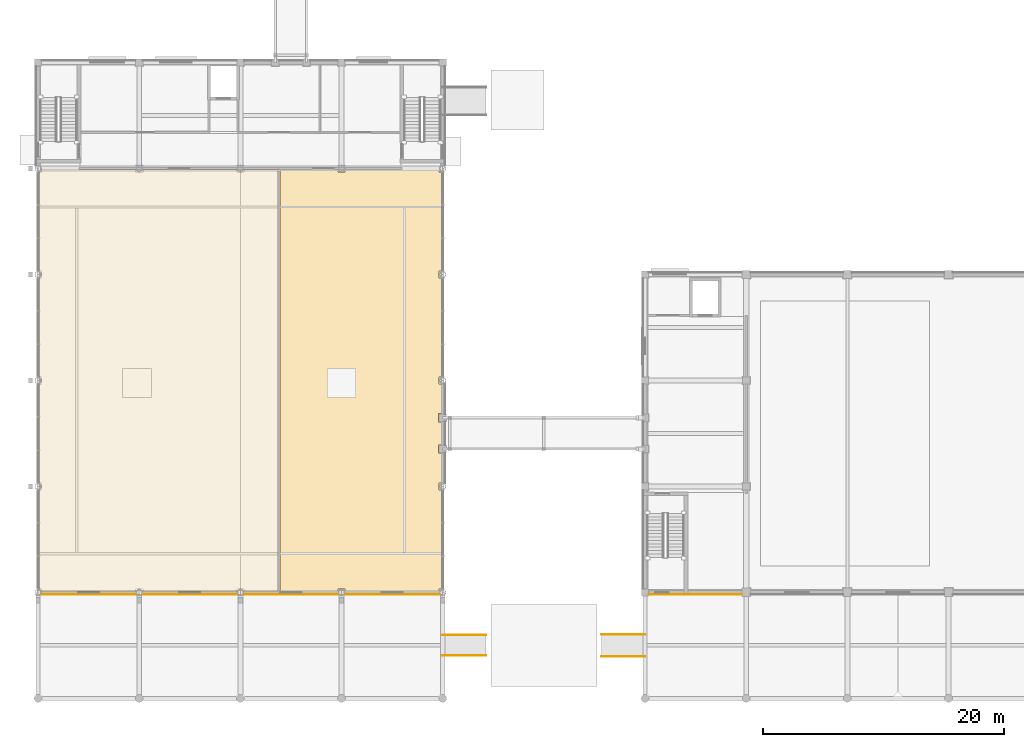
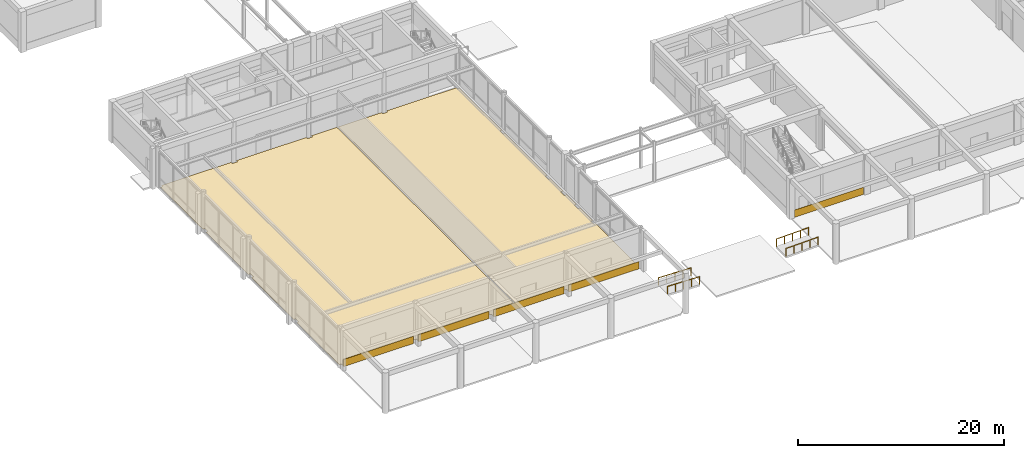
# One storey, part 43 of 58: 7 coverings, 4 railings.
"""IFC4 building model written with IfcOpenShell, lengths in metres."""

from ifc_helpers import new_model, si_unit, direction, frame, origin, origin_2d, place, context, subcontext, project, spatial, polyline, circle, outline, extrude, material, layer, layer_set, type_object, element, save


model = new_model("IFC4")

# Units and contexts
model_context = context("Model", 3, precision=1e-05, world=origin(), true_north=direction((0.0, 1.0)))
body_context = subcontext(model_context, "Body", "Model", "MODEL_VIEW")
ifc_project = project(units=[si_unit("LENGTHUNIT", "METRE"), si_unit("AREAUNIT", "SQUARE_METRE"), si_unit("VOLUMEUNIT", "CUBIC_METRE"), si_unit("PLANEANGLEUNIT", "RADIAN"), si_unit("MASSUNIT", "GRAM", prefix="KILO")], contexts=[model_context])

# Site, building, storey
site_placement = place(None, origin())
site = spatial("IfcSite", under=ifc_project, at=site_placement, CompositionType="ELEMENT")
building_placement = place(site_placement, origin())
building = spatial("IfcBuilding", under=site, at=building_placement, Name="Kemercrest Conservatory and Botanical Centre", CompositionType="ELEMENT")
storey_placement = place(building_placement, origin())
storey = spatial("IfcBuildingStorey", under=building, at=storey_placement, Name="L00", CompositionType="ELEMENT", Elevation=0.0)

# Coverings
ifc_material_1 = material(Name="Honed limestone almasik ashlar rainscreen", Category="masonry")
ifc_layer_1 = layer(ifc_material_1, 0.0400390625)
ifc_layer_set_1 = layer_set([ifc_layer_1], Name="Honed limestone almasik ashlar rainscreen")
covering_type_1 = type_object("IfcCoveringType", Name="CV-CLD040", PredefinedType="CLADDING", material=ifc_layer_set_1)
covering_1_placement = place(storey_placement, origin())
element("IfcCovering", 1, at=covering_1_placement, inside=storey, type_object=covering_type_1, Name="Exterior stone spandrel cladding (WAL:L00:EXT-001)", PredefinedType="CLADDING", context=body_context, shape_type="SweptSolid", body=[
    extrude(outline(polyline([(8.263916015625, 16.64990234375), (8.263916015625, 16.610107421875), (16.135986328125, 16.610107421875), (16.135986328125, 16.64990234375), (8.263916015625, 16.64990234375)])), origin(), (0.0, 0.0, 1.0), 0.85009765625),
])
covering_2_placement = place(storey_placement, origin())
element("IfcCovering", 2, at=covering_2_placement, inside=storey, type_object=covering_type_1, Name="Exterior stone spandrel cladding (WAL:L00:EXT-002)", PredefinedType="CLADDING", context=body_context, shape_type="SweptSolid", body=[
    extrude(outline(polyline([(16.6640625, 16.64990234375), (16.6640625, 16.610107421875), (24.535888671875, 16.610107421875), (24.535888671875, 16.64990234375), (16.6640625, 16.64990234375)])), origin(), (0.0, 0.0, 1.0), 0.85009765625),
])
covering_3_placement = place(storey_placement, origin())
element("IfcCovering", 3, at=covering_3_placement, inside=storey, type_object=covering_type_1, Name="Exterior stone spandrel cladding (WAL:L00:EXT-003)", PredefinedType="CLADDING", context=body_context, shape_type="SweptSolid", body=[
    extrude(outline(polyline([(25.06396484375, 16.64990234375), (25.06396484375, 16.610107421875), (32.93603515625, 16.610107421875), (32.93603515625, 16.64990234375), (25.06396484375, 16.64990234375)])), origin(), (0.0, 0.0, 1.0), 0.85009765625),
])
covering_4_placement = place(storey_placement, origin())
element("IfcCovering", 4, at=covering_4_placement, inside=storey, type_object=covering_type_1, Name="Exterior stone spandrel cladding (WAL:L00:EXT-004)", PredefinedType="CLADDING", context=body_context, shape_type="SweptSolid", body=[
    extrude(outline(polyline([(33.464111328125, 16.64990234375), (33.464111328125, 16.610107421875), (41.3359375, 16.610107421875), (41.3359375, 16.64990234375), (33.464111328125, 16.64990234375)])), origin(), (0.0, 0.0, 1.0), 0.85009765625),
])
covering_5_placement = place(storey_placement, origin())
element("IfcCovering", 5, at=covering_5_placement, inside=storey, type_object=covering_type_1, Name="Exterior stone spandrel cladding (WAL:L00:EXT-021)", PredefinedType="CLADDING", context=body_context, shape_type="SweptSolid", body=[
    extrude(outline(polyline([(58.7099609375, 16.64990234375), (58.7099609375, 16.610107421875), (66.43994140625, 16.610107421875), (66.43994140625, 16.64990234375), (58.7099609375, 16.64990234375)])), origin(), (0.0, 0.0, 1.0), 0.85009765625),
])
ifc_material_2 = material(Name="Polished limestone terrazzo and seamless laboratory epoxy flooring", Category="masonry")
ifc_layer_2 = layer(ifc_material_2, 0.02001953125)
ifc_layer_set_2 = layer_set([ifc_layer_2], Name="Polished limestone terrazzo and seamless laboratory epoxy flooring")
covering_type_2 = type_object("IfcCoveringType", Name="CV-FLR020", PredefinedType="FLOORING", material=ifc_layer_set_2)
covering_6_placement = place(storey_placement, origin())
element("IfcCovering", 6, at=covering_6_placement, inside=storey, type_object=covering_type_2, Name="Conservatory terrazzo floor finish", PredefinedType="FLOORING", context=body_context, shape_type="SweptSolid", body=[
    extrude(outline(polyline([(25.093994140625, 16.8798828125), (27.919921875, 16.8798828125), (27.919921875, 51.919921875), (25.093994140625, 51.919921875), (25.093994140625, 51.7060546875), (24.506103515625, 51.7060546875), (24.506103515625, 51.919921875), (16.694091796875, 51.919921875), (16.694091796875, 51.7060546875), (16.10595703125, 51.7060546875), (16.10595703125, 51.919921875), (8.2939453125, 51.919921875), (8.2939453125, 51.7060546875), (8.080078125, 51.7060546875), (8.080078125, 43.493896484375), (8.2939453125, 43.493896484375), (8.2939453125, 42.906005859375), (8.080078125, 42.906005859375), (8.080078125, 34.694091796875), (8.2939453125, 34.694091796875), (8.2939453125, 34.10595703125), (8.080078125, 34.10595703125), (8.080078125, 25.89404296875), (8.2939453125, 25.89404296875), (8.2939453125, 25.305908203125), (8.080078125, 25.305908203125), (8.080078125, 17.093994140625), (8.2939453125, 17.093994140625), (8.2939453125, 16.8798828125), (16.10595703125, 16.8798828125), (16.10595703125, 17.093994140625), (16.694091796875, 17.093994140625), (16.694091796875, 16.8798828125), (24.506103515625, 16.8798828125), (24.506103515625, 17.093994140625), (25.093994140625, 17.093994140625), (25.093994140625, 16.8798828125)])), origin(), (0.0, 0.0, 1.0), 0.02001953125),
])
covering_7_placement = place(storey_placement, origin())
element("IfcCovering", 7, at=covering_7_placement, inside=storey, type_object=covering_type_2, Name="Mediterranean and Arid Conservatory Biome terrazzo floor finish", PredefinedType="FLOORING", context=body_context, shape_type="SweptSolid", body=[
    extrude(outline(polyline([(33.493896484375, 16.8798828125), (41.305908203125, 16.8798828125), (41.305908203125, 17.093994140625), (41.52001953125, 17.093994140625), (41.52001953125, 25.305908203125), (41.305908203125, 25.305908203125), (41.305908203125, 25.89404296875), (41.52001953125, 25.89404296875), (41.52001953125, 28.360107421875), (41.260009765625, 28.360107421875), (41.260009765625, 29.0400390625), (41.52001953125, 29.0400390625), (41.52001953125, 30.9599609375), (41.260009765625, 30.9599609375), (41.260009765625, 31.639892578125), (41.52001953125, 31.639892578125), (41.52001953125, 34.10595703125), (41.305908203125, 34.10595703125), (41.305908203125, 34.694091796875), (41.52001953125, 34.694091796875), (41.52001953125, 42.906005859375), (41.305908203125, 42.906005859375), (41.305908203125, 43.493896484375), (41.52001953125, 43.493896484375), (41.52001953125, 51.7060546875), (41.305908203125, 51.7060546875), (41.305908203125, 51.919921875), (33.493896484375, 51.919921875), (33.493896484375, 51.7060546875), (32.906005859375, 51.7060546875), (32.906005859375, 51.919921875), (28.080078125, 51.919921875), (28.080078125, 16.8798828125), (32.906005859375, 16.8798828125), (32.906005859375, 17.093994140625), (33.493896484375, 17.093994140625), (33.493896484375, 16.8798828125)])), origin(), (0.0, 0.0, 1.0), 0.02001953125),
])

# Railings
ifc_material_3 = material(Name="Architectural bronze-anodized steel balustrade", Category="steel")
railing_type = type_object("IfcRailingType", Name="HR-RMP092", PredefinedType="HANDRAIL", material=ifc_material_3)
for number, where, name in (
    (8, (45.199951171875, 11.550048828125, -0.10009765625), "Accessible ramp AR-01 handrail 1"),
    (9, (45.199951171875, 13.25, -0.10009765625), "Accessible ramp AR-01 handrail 2"),
):
    element("IfcRailing", number, at=place(storey_placement, frame(where)), inside=storey, type_object=railing_type, Name=name, PredefinedType="HANDRAIL", context=body_context, shape_type="SweptSolid", body=[
        extrude(circle(Radius=0.02392578125, at=origin_2d()), frame((0.0, 0.0, 0.89599609375), z_axis=(-0.999613636213, 0.0, 0.027795292699), x_axis=(0.0, -1.0, 0.0)), (0.0, 0.0, 1.0), 3.601318359375),
        extrude(circle(Radius=0.02099609375, at=origin_2d()), origin(), (0.0, 0.0, 1.0), 0.871826171875),
        extrude(circle(Radius=0.02099609375, at=origin_2d()), frame((-0.89990234375, 0.0, 0.02490234375)), (0.0, 0.0, 1.0), 0.871826171875),
        extrude(circle(Radius=0.02099609375, at=origin_2d()), frame((-1.7998046875, 0.0, 0.050048828125)), (0.0, 0.0, 1.0), 0.871826171875),
        extrude(circle(Radius=0.02099609375, at=origin_2d()), frame((-2.699951171875, 0.0, 0.0751953125)), (0.0, 0.0, 1.0), 0.871826171875),
        extrude(circle(Radius=0.02099609375, at=origin_2d()), frame((-3.599853515625, 0.0, 0.10009765625)), (0.0, 0.0, 1.0), 0.871826171875),
    ])
for number, where, name in (
    (10, (54.800048828125, 11.47509765625, -0.10009765625), "Accessible ramp AR-02 handrail 1"),
    (11, (54.800048828125, 13.324951171875, -0.10009765625), "Accessible ramp AR-02 handrail 2"),
):
    element("IfcRailing", number, at=place(storey_placement, frame(where)), inside=storey, type_object=railing_type, Name=name, PredefinedType="HANDRAIL", context=body_context, shape_type="SweptSolid", body=[
        extrude(circle(Radius=0.02392578125, at=origin_2d()), frame((0.0, 0.0, 0.89599609375), z_axis=(0.999613636213, 0.0, 0.027795292699), x_axis=(0.0, 1.0, 0.0)), (0.0, 0.0, 1.0), 3.601318359375),
        extrude(circle(Radius=0.02099609375, at=origin_2d()), origin(), (0.0, 0.0, 1.0), 0.871826171875),
        extrude(circle(Radius=0.02099609375, at=origin_2d()), frame((0.89990234375, 0.0, 0.02490234375)), (0.0, 0.0, 1.0), 0.871826171875),
        extrude(circle(Radius=0.02099609375, at=origin_2d()), frame((1.7998046875, 0.0, 0.050048828125)), (0.0, 0.0, 1.0), 0.871826171875),
        extrude(circle(Radius=0.02099609375, at=origin_2d()), frame((2.699951171875, 0.0, 0.0751953125)), (0.0, 0.0, 1.0), 0.871826171875),
        extrude(circle(Radius=0.02099609375, at=origin_2d()), frame((3.599853515625, 0.0, 0.10009765625)), (0.0, 0.0, 1.0), 0.871826171875),
    ])

save(model, "model.ifc")
